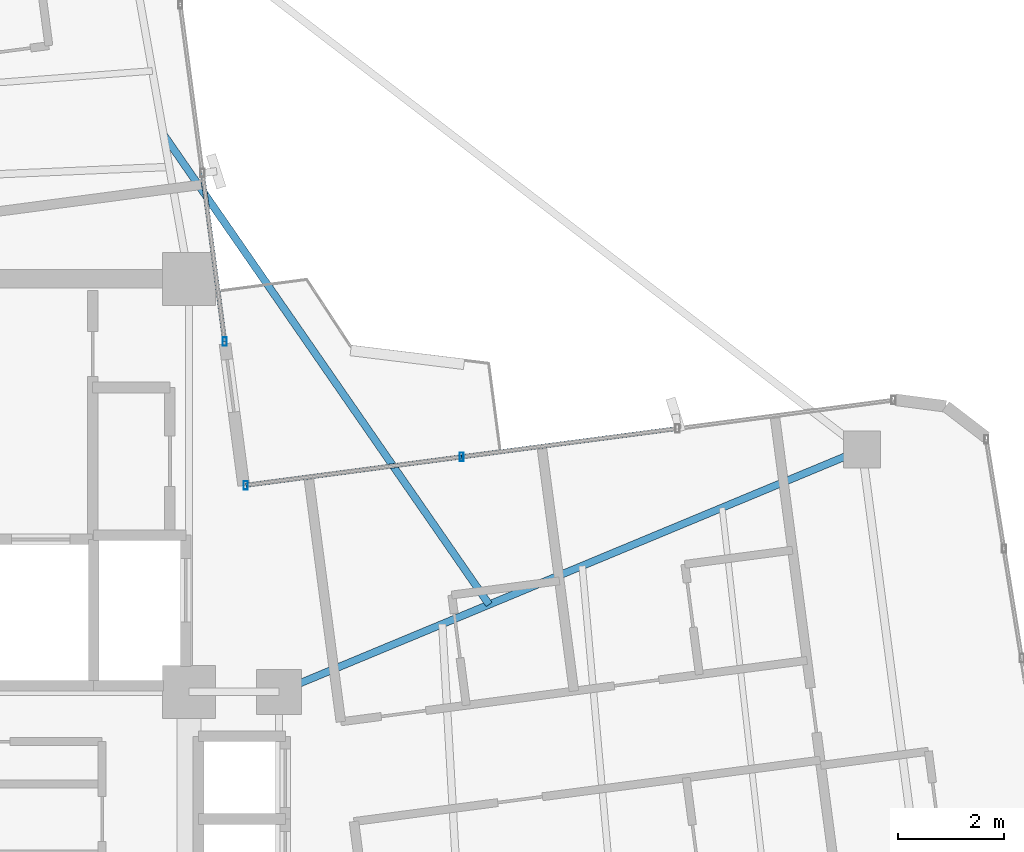
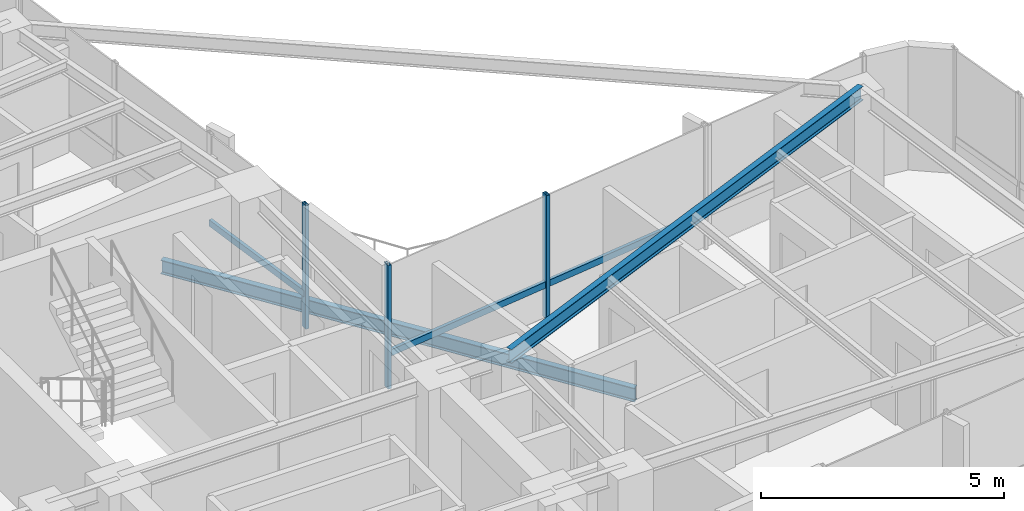
# One storey, part 11 of 22: 6 members, 2 beams, 2 elements without a shape of their own.
"""IFC4 building model written with IfcOpenShell, lengths in metres."""

from ifc_helpers import new_model, si_unit, direction, frame, origin, origin_2d, place, context, subcontext, project, spatial, hollow_rectangle, i_section, extrude, source, transform, mapped, material, material_profile, profile_set, type_object, element, aggregate, save


model = new_model("IFC4")

# Units and contexts
model_context = context("Model", 3, precision=1e-05, world=origin(), true_north=direction((0.0, 1.0)))
body_context = subcontext(model_context, "Body", "Model", "MODEL_VIEW")
ifc_project = project(units=[si_unit("LENGTHUNIT", "METRE"), si_unit("AREAUNIT", "SQUARE_METRE"), si_unit("VOLUMEUNIT", "CUBIC_METRE"), si_unit("PLANEANGLEUNIT", "RADIAN"), si_unit("MASSUNIT", "GRAM", prefix="KILO")], contexts=[model_context])

# Site, building, storey
site_placement = place(None, origin())
site = spatial("IfcSite", under=ifc_project, at=site_placement, CompositionType="ELEMENT")
building_placement = place(site_placement, origin())
building = spatial("IfcBuilding", under=site, at=building_placement, Name="Sahyath Konkavel Grand Hotel", CompositionType="ELEMENT")
storey_placement = place(building_placement, frame((0.0, 0.0, 247.85009765625)))
storey = spatial("IfcBuildingStorey", under=building, at=storey_placement, Name="L69", CompositionType="ELEMENT", Elevation=247.85009765625)

# Beam
ifc_material_1 = material(Name="Steel E350", Category="steel")
ifc_material_profile_1 = material_profile(ifc_material_1, i_section(OverallWidth=0.139892578125, OverallDepth=0.35009765625, WebThickness=0.008056640625, FlangeThickness=0.01416015625, FilletRadius=0.013916015625, at=origin_2d()), Name="ISMB 350")
ifc_profile_set_1 = profile_set([ifc_material_profile_1], Name="Steel E350")
beam_type_1 = type_object("IfcBeamType", Name="BM-ISMB350", PredefinedType="BEAM", material=ifc_profile_set_1)
shared_shape_1 = source(origin(), body_context, "Body", "SweptSolid", [
    extrude(i_section(OverallWidth=0.139892578125, OverallDepth=0.35009765625, WebThickness=0.008056640625, FlangeThickness=0.01416015625, FilletRadius=0.013916015625, at=origin_2d()), origin(), (0.0, 0.0, 1.0), 11.92431640625),
])
beam_1_placement = place(storey_placement, frame((5.5, 2.39990234375, 2.934814453125), z_axis=(0.92336923215, 0.38391309058, 0.0), x_axis=(-0.38391309058, 0.92336923215, 0.0)))
element("IfcBeam", 1, at=beam_1_placement, inside=storey, type_object=beam_type_1, Name="L69 Cruciform Radial Girder EB", PredefinedType="BEAM", context=body_context, shape_type="MappedRepresentation", body=[
    mapped(shared_shape_1, transform((0.0, 0.0, 0.0), scale=1.0)),
])

# Curtain wall, members
ifc_material_2 = material(Name="Anodised Bronze Aluminium & Low-E Glazing", Category="aluminium")
curtain_wall_type = type_object("IfcCurtainWallType", Name="CW-ZONE4", PredefinedType="NOTDEFINED", material=ifc_material_2)
curtain_wall_1_placement = place(storey_placement, origin())
curtain_wall_1 = element("IfcCurtainWall", 2, at=curtain_wall_1_placement, inside=storey, type_object=curtain_wall_type, Name="L69 Unitised Curtain Wall F7", PredefinedType="NOTDEFINED")
ifc_material_3 = material(Name="Anodised Bronze Aluminium", Category="aluminium")
ifc_material_profile_2 = material_profile(ifc_material_3, hollow_rectangle(XDim=0.080078125, YDim=0.159912109375, WallThickness=0.006103515625, at=origin_2d()), Name="RHS 160x80x6")
ifc_profile_set_2 = profile_set([ifc_material_profile_2], Name="Anodised Bronze Aluminium")
member_type_1 = type_object("IfcMemberType", Name="CW-MUL-160", PredefinedType="MULLION", material=ifc_profile_set_2)
shared_shape_2 = source(origin(), body_context, "Body", "SweptSolid", [
    extrude(hollow_rectangle(XDim=0.080078125, YDim=0.159912109375, WallThickness=0.006103515625, at=origin_2d()), origin(), (0.0, 0.0, 1.0), 3.10986328125),
])
member_1_placement = place(storey_placement, frame((8.94921875, 6.839599609375, 0.0), z_axis=(0.0, 0.0, 1.0), x_axis=(1.0, 0.0, 0.0)))
member_1 = element("IfcMember", 3, at=member_1_placement, type_object=member_type_1, Name="L69 Curtain Wall Mullion F7-2", PredefinedType="MULLION", context=body_context, shape_type="MappedRepresentation", body=[
    mapped(shared_shape_2, transform((0.0, 0.0, 0.0), scale=1.0)),
])
member_2_placement = place(storey_placement, frame((4.8720703125, 6.302734375, 0.0), z_axis=(0.0, 0.0, 1.0), x_axis=(1.0, 0.0, 0.0)))
member_2 = element("IfcMember", 4, at=member_2_placement, type_object=member_type_1, Name="L69 Curtain Wall Mullion F7-3", PredefinedType="MULLION", context=body_context, shape_type="MappedRepresentation", body=[
    mapped(shared_shape_2, transform((0.0, 0.0, 0.0), scale=1.0)),
])

curtain_wall_2_placement = place(storey_placement, origin())
curtain_wall_2 = element("IfcCurtainWall", 5, at=curtain_wall_2_placement, inside=storey, type_object=curtain_wall_type, Name="L69 Unitised Curtain Wall F8", PredefinedType="NOTDEFINED")
member_3_placement = place(storey_placement, frame((4.474609375, 9.01416015625, 0.0), z_axis=(0.0, 0.0, 1.0), x_axis=(1.0, 0.0, 0.0)))
member_3 = element("IfcMember", 6, at=member_3_placement, type_object=member_type_1, Name="L69 Curtain Wall Mullion F8-0", PredefinedType="MULLION", context=body_context, shape_type="MappedRepresentation", body=[
    mapped(shared_shape_2, transform((0.0, 0.0, 0.0), scale=1.0)),
])
ifc_material_profile_3 = material_profile(ifc_material_3, hollow_rectangle(XDim=0.080078125, YDim=0.159912109375, WallThickness=0.006103515625, at=origin_2d()), Name="RHS 160x80x6")
ifc_profile_set_3 = profile_set([ifc_material_profile_3], Name="Anodised Bronze Aluminium")
member_type_2 = type_object("IfcMemberType", Name="CW-TRN-160", PredefinedType="USERDEFINED", material=ifc_profile_set_3)
shared_shape_3 = source(origin(), body_context, "Body", "SweptSolid", [
    extrude(hollow_rectangle(XDim=0.080078125, YDim=0.159912109375, WallThickness=0.006103515625, at=origin_2d()), origin(), (0.0, 0.0, 1.0), 3.21240234375),
])
member_4_placement = place(storey_placement, frame((4.474609375, 9.01416015625, 0.849853515625), z_axis=(-0.130495798888, 0.991448862258, 0.0), x_axis=(-0.991448862258, -0.130495798888, 0.0)))
member_4 = element("IfcMember", 7, at=member_4_placement, type_object=member_type_2, Name="L69 Curtain Wall Transom F8-0-spandrel", ObjectType="TRANSOM", PredefinedType="USERDEFINED", context=body_context, shape_type="MappedRepresentation", body=[
    mapped(shared_shape_3, transform((0.0, 0.0, 0.0), scale=1.0)),
])
aggregate(curtain_wall_2, [member_3, member_4])

# Member
shared_shape_4 = source(origin(), body_context, "Body", "SweptSolid", [
    extrude(hollow_rectangle(XDim=0.080078125, YDim=0.159912109375, WallThickness=0.006103515625, at=origin_2d()), origin(), (0.0, 0.0, 1.0), 4.1123046875),
])
member_5_placement = place(storey_placement, frame((13.0263671875, 7.37646484375, 0.849853515625), z_axis=(-0.991441762714, -0.130549726719, 0.0), x_axis=(0.130549726719, -0.991441762714, 0.0)))
member_5 = element("IfcMember", 8, at=member_5_placement, type_object=member_type_2, Name="L69 Curtain Wall Transom F7-1-spandrel", ObjectType="TRANSOM", PredefinedType="USERDEFINED", context=body_context, shape_type="MappedRepresentation", body=[
    mapped(shared_shape_4, transform((0.0, 0.0, 0.0), scale=1.0)),
])

member_6_placement = place(storey_placement, frame((8.94921875, 6.839599609375, 0.849853515625), z_axis=(-0.991441762714, -0.130549726719, 0.0), x_axis=(0.130549726719, -0.991441762714, 0.0)))
member_6 = element("IfcMember", 9, at=member_6_placement, type_object=member_type_2, Name="L69 Curtain Wall Transom F7-2-spandrel", ObjectType="TRANSOM", PredefinedType="USERDEFINED", context=body_context, shape_type="MappedRepresentation", body=[
    mapped(shared_shape_4, transform((0.0, 0.0, 0.0), scale=1.0)),
])

aggregate(curtain_wall_1, [member_1, member_2, member_5, member_6])

# Beam
ifc_material_profile_4 = material_profile(ifc_material_1, i_section(OverallWidth=0.139892578125, OverallDepth=0.35009765625, WebThickness=0.008056640625, FlangeThickness=0.01416015625, FilletRadius=0.013916015625, at=origin_2d()), Name="ISMB 350")
ifc_profile_set_4 = profile_set([ifc_material_profile_4], Name="Steel E350")
beam_type_2 = type_object("IfcBeamType", Name="BM-BALC-CANT", PredefinedType="BEAM", material=ifc_profile_set_4)
shared_shape_5 = source(origin(), body_context, "Body", "SweptSolid", [
    extrude(i_section(OverallWidth=0.139892578125, OverallDepth=0.35009765625, WebThickness=0.008056640625, FlangeThickness=0.01416015625, FilletRadius=0.013916015625, at=origin_2d()), origin(), (0.0, 0.0, 1.0), 10.795654296875),
])
beam_2_placement = place(storey_placement, frame((9.46826171875, 4.050048828125, -0.4150390625), z_axis=(-0.569443975085, 0.82203014497, 0.0), x_axis=(-0.82203014497, -0.569443975085, 0.0)))
element("IfcBeam", 10, at=beam_2_placement, inside=storey, type_object=beam_type_2, Name="L69 Balcony Cantilever Support Beam NE", PredefinedType="BEAM", context=body_context, shape_type="MappedRepresentation", body=[
    mapped(shared_shape_5, transform((0.0, 0.0, 0.0), scale=1.0)),
])

save(model, "model.ifc")
